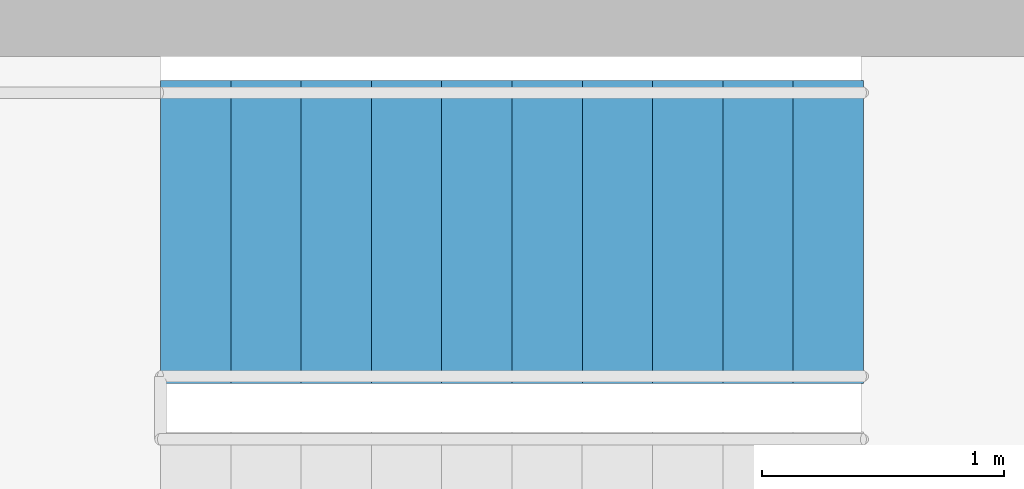
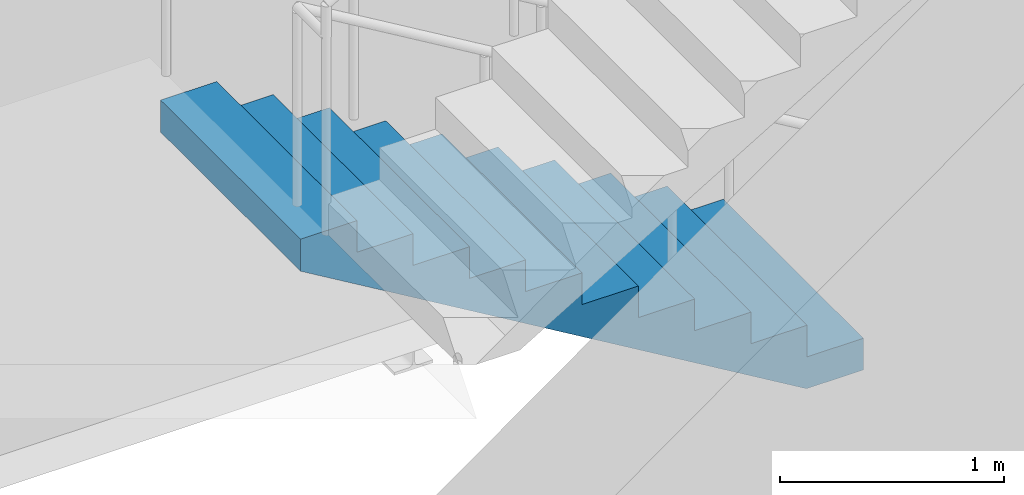
# One storey, part 6 of 7: 1 stair flight, 1 element without a shape of its own.
"""IFC4 building model written with IfcOpenShell, lengths in metres."""

from ifc_helpers import new_model, si_unit, direction, frame, origin, place, context, subcontext, project, spatial, polyline, outline, extrude, material, type_object, element, aggregate, save


model = new_model("IFC4")

# Units and contexts
model_context = context("Model", 3, precision=1e-05, world=origin(), true_north=direction((0.0, 1.0)))
body_context = subcontext(model_context, "Body", "Model", "MODEL_VIEW")
ifc_project = project(units=[si_unit("LENGTHUNIT", "METRE"), si_unit("AREAUNIT", "SQUARE_METRE"), si_unit("VOLUMEUNIT", "CUBIC_METRE"), si_unit("PLANEANGLEUNIT", "RADIAN"), si_unit("MASSUNIT", "GRAM", prefix="KILO")], contexts=[model_context])

# Site, building, storey
site_placement = place(None, origin())
site = spatial("IfcSite", under=ifc_project, at=site_placement, CompositionType="ELEMENT")
building_placement = place(site_placement, origin())
building = spatial("IfcBuilding", under=site, at=building_placement, Name="Ostroluk Exchange", CompositionType="ELEMENT")
storey_placement = place(building_placement, frame((0.0, 0.0, 241.39990234375)))
storey = spatial("IfcBuildingStorey", under=building, at=storey_placement, Name="L62", CompositionType="ELEMENT", Elevation=241.39990234375)

# Stair, stair flight
ifc_material_1 = material(Name="Concrete C30/37", Category="concrete")
stair_type = type_object("IfcStairType", Name="Exit stair half turn 3800", PredefinedType="HALF_TURN_STAIR", material=ifc_material_1)
stair_placement = place(storey_placement, origin())
stair = element("IfcStair", 1, at=stair_placement, inside=storey, type_object=stair_type, Name="Stair T1-S2 L62", PredefinedType="HALF_TURN_STAIR")
ifc_material_2 = material(Name="Concrete C30/37", Category="concrete")
stair_flight_type = type_object("IfcStairFlightType", Name="Stair flight 11 risers 172.7 x 290", PredefinedType="STRAIGHT", material=ifc_material_2)
stair_flight_placement = place(storey_placement, frame((47.030029296875, 54.675048828125, 0.0), z_axis=(0.0, 0.0, 1.0), x_axis=(-1.0, 0.0, 0.0)))
stair_flight = element("IfcStairFlight", 2, at=stair_flight_placement, type_object=stair_flight_type, Name="T1-S2 flight 1", NumberOfRisers=11, NumberOfTreads=10, PredefinedType="STRAIGHT", RiserHeight=0.172727273, TreadLength=0.29, context=body_context, shape_type="SweptSolid", body=[
    extrude(outline(polyline([(0.0, 0.0), (0.0, 0.172607421875), (0.2900390625, 0.172607421875), (0.2900390625, 0.345458984375), (0.580078125, 0.345458984375), (0.580078125, 0.51806640625), (0.8701171875, 0.51806640625), (0.8701171875, 0.69091796875), (1.159912109375, 0.69091796875), (1.159912109375, 0.863525390625), (1.449951171875, 0.863525390625), (1.449951171875, 1.036376953125), (1.739990234375, 1.036376953125), (1.739990234375, 1.208984375), (2.030029296875, 1.208984375), (2.030029296875, 1.3818359375), (2.320068359375, 1.3818359375), (2.320068359375, 1.554443359375), (2.610107421875, 1.554443359375), (2.610107421875, 1.727294921875), (2.89990234375, 1.727294921875), (2.89990234375, 1.89990234375), (2.89990234375, 1.552734375), (0.29296875, 0.0), (0.0, 0.0)])), frame((0.0, 0.625, 0.0), z_axis=(0.0, -1.0, 0.0), x_axis=(1.0, 0.0, 0.0)), (0.0, 0.0, 1.0), 1.25),
])
aggregate(stair, [stair_flight])

save(model, "model.ifc")
